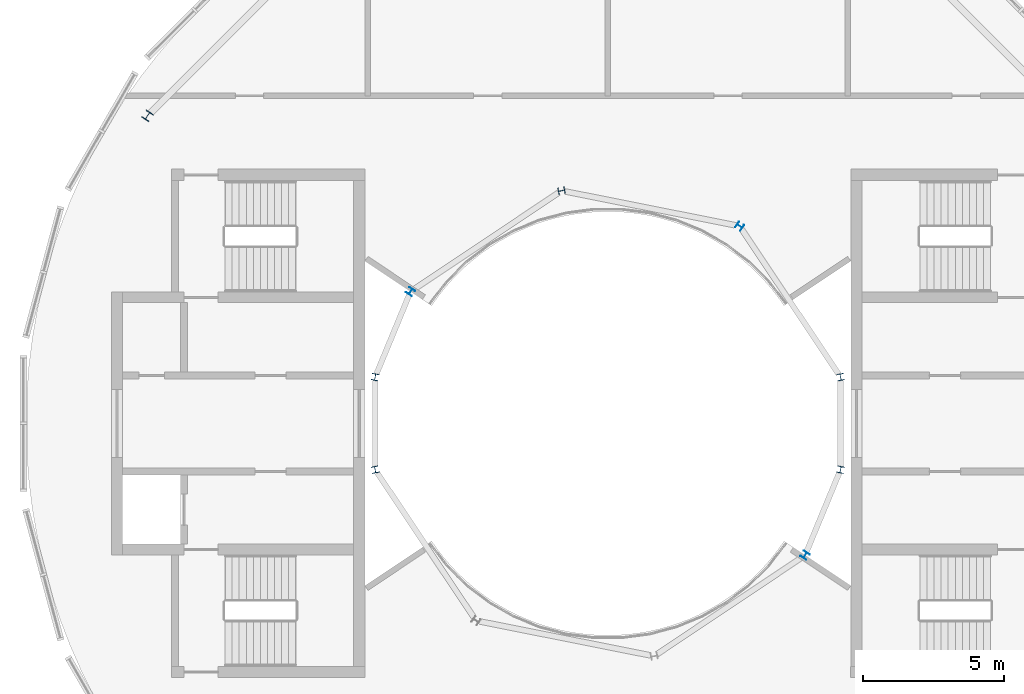
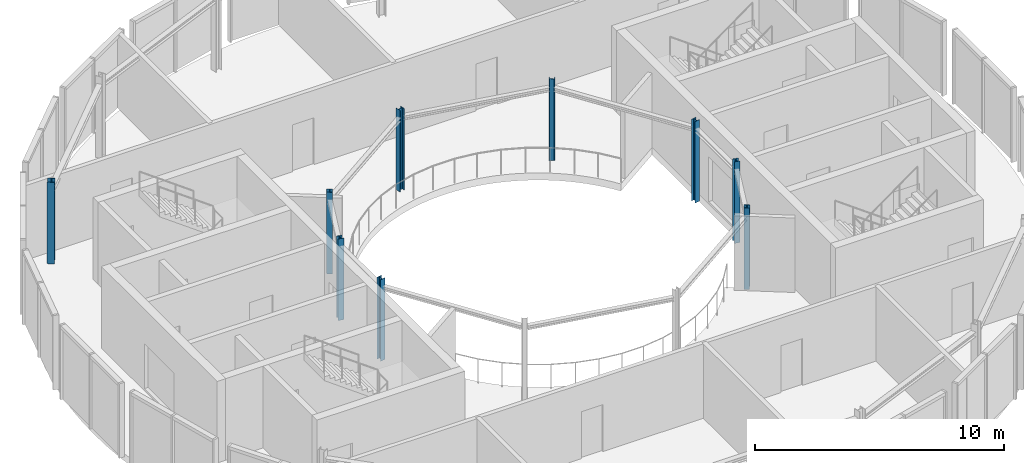
# One storey, part 2 of 12: 9 columns.
"""IFC4 building model written with IfcOpenShell, lengths in metres."""

from ifc_helpers import new_model, si_unit, direction, frame, origin, origin_2d, place, context, subcontext, project, spatial, i_section, extrude, material, material_profile, profile_set, type_object, element, save


model = new_model("IFC4")

# Units and contexts
model_context = context("Model", 3, precision=1e-05, world=origin(), true_north=direction((0.0, 1.0)))
body_context = subcontext(model_context, "Body", "Model", "MODEL_VIEW")
ifc_project = project(units=[si_unit("LENGTHUNIT", "METRE"), si_unit("AREAUNIT", "SQUARE_METRE"), si_unit("VOLUMEUNIT", "CUBIC_METRE"), si_unit("PLANEANGLEUNIT", "RADIAN"), si_unit("MASSUNIT", "GRAM", prefix="KILO")], contexts=[model_context])

# Site, building, storey
site_placement = place(None, origin())
site = spatial("IfcSite", under=ifc_project, at=site_placement, CompositionType="ELEMENT")
building_placement = place(site_placement, origin())
building = spatial("IfcBuilding", under=site, at=building_placement, Name="Maasbend Ring Residences", CompositionType="ELEMENT")
storey_placement = place(building_placement, frame((0.0, 0.0, 261.5)))
storey = spatial("IfcBuildingStorey", under=building, at=storey_placement, Name="L75", CompositionType="ELEMENT", Elevation=261.5)

# Columns
ifc_material_1 = material(Name="Steel S355J2", Category="steel")
ifc_material_profile_1 = material_profile(ifc_material_1, i_section(OverallWidth=0.239990234375, OverallDepth=0.22998046875, WebThickness=0.007568359375, FlangeThickness=0.011962890625, FilletRadius=0.02099609375, at=origin_2d()), Name="HEA 240")
ifc_profile_set_1 = profile_set([ifc_material_profile_1], Name="Steel S355J2")
column_type_1 = type_object("IfcColumnType", Name="Steel column HEA 240", PredefinedType="COLUMN", material=ifc_profile_set_1)
for number, where, z_axis, x_axis, name in (
    (1, (8.238525390625, 1.638916015625, 0.0), (0.0, 0.0, 1.0), (0.980785280403, 0.195090322016, 0.0), "Well ring column R1"),
    (2, (4.666748046875, 6.984375, 0.0), (0.0, 0.0, 1.0), (0.55557023302, 0.831469612303, 0.0), "Well ring column R3"),
    (3, (-1.638916015625, 8.238525390625, 0.0), (0.0, 0.0, 1.0), (-0.195090322016, 0.980785280403, 0.0), "Well ring column R5"),
    (4, (-6.984375, 4.666748046875, 0.0), (0.0, 0.0, 1.0), (-0.831469612303, 0.55557023302, 0.0), "Well ring column R7"),
    (5, (-8.238525390625, 1.638916015625, 0.0), (0.0, 0.0, 1.0), (-0.980785280403, 0.195090322016, 0.0), "Well ring column R8"),
    (6, (-8.238525390625, -1.638916015625, 0.0), (0.0, 0.0, 1.0), (-0.980785280403, -0.195090322016, 0.0), "Well ring column R9"),
    (7, (6.984375, -4.666748046875, 0.0), (0.0, 0.0, 1.0), (0.831469612303, -0.55557023302, 0.0), "Well ring column R15"),
    (8, (8.238525390625, -1.638916015625, 0.0), (0.0, 0.0, 1.0), (0.980785280403, -0.195090322016, 0.0), "Well ring column R16"),
):
    element("IfcColumn", number, at=place(storey_placement, frame(where, z_axis=z_axis, x_axis=x_axis)), inside=storey, type_object=column_type_1, Name=name, PredefinedType="COLUMN", context=body_context, shape_type="SweptSolid", body=[
        extrude(i_section(OverallWidth=0.239990234375, OverallDepth=0.22998046875, WebThickness=0.007568359375, FlangeThickness=0.011962890625, FilletRadius=0.02099609375, at=origin_2d()), origin(), (0.0, 0.0, 1.0), 4.0),
    ])
ifc_material_2 = material(Name="Steel S355J2", Category="steel")
ifc_material_profile_2 = material_profile(ifc_material_2, i_section(OverallWidth=0.300048828125, OverallDepth=0.300048828125, WebThickness=0.010986328125, FlangeThickness=0.01904296875, FilletRadius=0.027099609375, at=origin_2d()), Name="HEB 300")
ifc_profile_set_2 = profile_set([ifc_material_profile_2], Name="Steel S355J2")
column_type_2 = type_object("IfcColumnType", Name="Steel column HEB 300", PredefinedType="COLUMN", material=ifc_profile_set_2)
column_placement = place(storey_placement, frame((-16.296875, 10.88916015625, 0.0), z_axis=(0.0, 0.0, 1.0), x_axis=(-0.831469612303, 0.55557023302, 0.0)))
element("IfcColumn", 9, at=column_placement, inside=storey, type_object=column_type_2, Name="Corridor ring column R7", PredefinedType="COLUMN", context=body_context, shape_type="SweptSolid", body=[
    extrude(i_section(OverallWidth=0.300048828125, OverallDepth=0.300048828125, WebThickness=0.010986328125, FlangeThickness=0.01904296875, FilletRadius=0.027099609375, at=origin_2d()), origin(), (0.0, 0.0, 1.0), 4.0),
])

save(model, "model.ifc")
